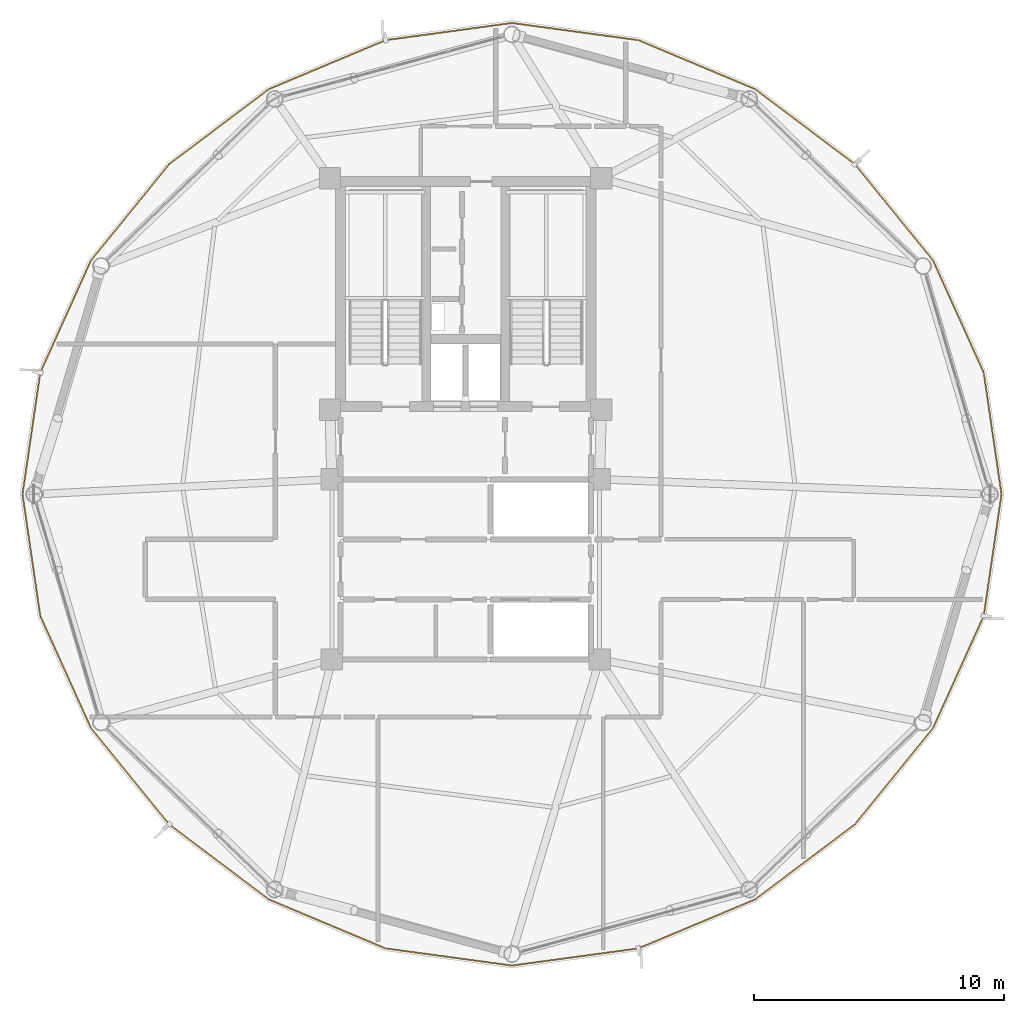
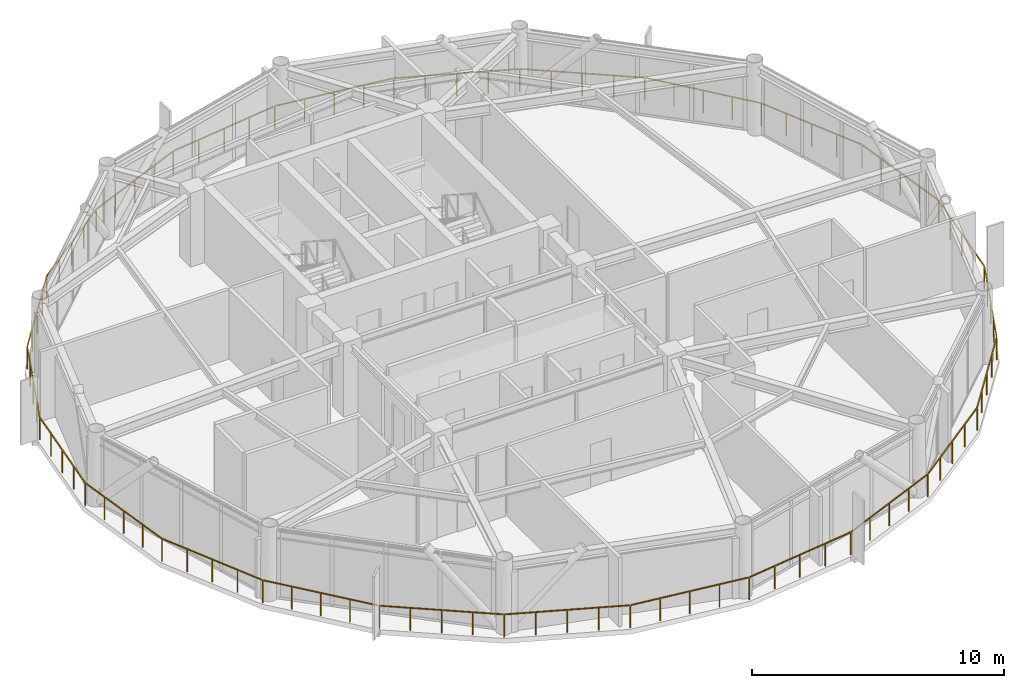
# One storey, part 27 of 28: 1 railing.
"""IFC4 building model written with IfcOpenShell, lengths in metres."""

from ifc_helpers import new_model, si_unit, direction, frame, origin, origin_2d, place, context, subcontext, project, spatial, rectangle, extrude, material, type_object, element, save


model = new_model("IFC4")

# Units and contexts
model_context = context("Model", 3, precision=1e-05, world=origin(), true_north=direction((0.0, 1.0)))
body_context = subcontext(model_context, "Body", "Model", "MODEL_VIEW")
ifc_project = project(units=[si_unit("LENGTHUNIT", "METRE"), si_unit("AREAUNIT", "SQUARE_METRE"), si_unit("VOLUMEUNIT", "CUBIC_METRE"), si_unit("PLANEANGLEUNIT", "RADIAN"), si_unit("MASSUNIT", "GRAM", prefix="KILO")], contexts=[model_context])

# Site, building, storey
site_placement = place(None, origin())
site = spatial("IfcSite", under=ifc_project, at=site_placement, CompositionType="ELEMENT")
building_placement = place(site_placement, origin())
building = spatial("IfcBuilding", under=site, at=building_placement, Name="Varnakorn Sky Granary", CompositionType="ELEMENT")
storey_placement = place(building_placement, frame((0.0, 0.0, 214.800048828125)))
storey = spatial("IfcBuildingStorey", under=building, at=storey_placement, Name="L54", CompositionType="ELEMENT", Elevation=214.800048828125)

# Railing
ifc_material = material(Name="Anodised Bronze Aluminium Alloy 6063-T6", Category="aluminium")
railing_type = type_object("IfcRailingType", Name="RL-BAL-1120", PredefinedType="BALUSTRADE", material=ifc_material)
railing_placement = place(storey_placement, frame((24.40380859375, 0.0, 0.0)))
element("IfcRailing", 1, at=railing_placement, inside=storey, type_object=railing_type, Name="Perimeter Slab-Edge Safety Guard L54", PredefinedType="BALUSTRADE", context=body_context, shape_type="SweptSolid", body=[
    extrude(rectangle(XDim=0.048095703125, YDim=0.048095703125, at=origin_2d()), frame((-0.004150390625, -0.027587890625, 1.09619140625), z_axis=(-0.144393108568, -0.989520404134, 0.0), x_axis=(0.989520404134, -0.144393108568, 0.0)), (0.0, 0.0, 1.0), 4.85400390625),
    extrude(rectangle(XDim=0.048095703125, YDim=0.048095703125, at=origin_2d()), frame((-0.720458984375, -4.88427734375, 1.09619140625), z_axis=(-0.411701042638, -0.911318962543, 0.0), x_axis=(0.911318962543, -0.411701042638, 0.0)), (0.0, 0.0, 1.0), 4.86474609375),
    extrude(rectangle(XDim=0.048095703125, YDim=0.048095703125, at=origin_2d()), frame((-2.75244140625, -9.36474609375, 1.09619140625), z_axis=(-0.630282291884, -0.77636604288, 0.0), x_axis=(0.77636604288, -0.630282291884, 0.0)), (0.0, 0.0, 1.0), 4.890869140625),
    extrude(rectangle(XDim=0.048095703125, YDim=0.048095703125, at=origin_2d()), frame((-5.875244140625, -13.200439453125, 1.09619140625), z_axis=(-0.799037077552, -0.601281754835, 0.0), x_axis=(0.601281754835, -0.799037077552, 0.0)), (0.0, 0.0, 1.0), 4.93896484375),
    extrude(rectangle(XDim=0.048095703125, YDim=0.048095703125, at=origin_2d()), frame((-9.869873046875, -16.19775390625, 1.09619140625), z_axis=(-0.9222099416, -0.386689570086, 0.0), x_axis=(0.386689570086, -0.9222099416, 0.0)), (0.0, 0.0, 1.0), 4.998046875),
    extrude(rectangle(XDim=0.048095703125, YDim=0.048095703125, at=origin_2d()), frame((-14.53271484375, -18.14501953125, 1.09619140625), z_axis=(-0.990926139809, -0.134407534921, 0.0), x_axis=(0.134407534921, -0.990926139809, 0.0)), (0.0, 0.0, 1.0), 5.0390625),
    extrude(rectangle(XDim=0.048095703125, YDim=0.048095703125, at=origin_2d()), frame((-19.58154296875, -18.822509765625, 1.09619140625), z_axis=(-0.990927005389, 0.134401153238, 0.0), x_axis=(-0.134401153238, -0.990927005389, 0.0)), (0.0, 0.0, 1.0), 5.039306640625),
    extrude(rectangle(XDim=0.048095703125, YDim=0.048095703125, at=origin_2d()), frame((-24.628662109375, -18.130615234375, 1.09619140625), z_axis=(-0.9222099416, 0.386689570086, 0.0), x_axis=(-0.386689570086, -0.9222099416, 0.0)), (0.0, 0.0, 1.0), 4.998046875),
    extrude(rectangle(XDim=0.048095703125, YDim=0.048095703125, at=origin_2d()), frame((-29.2861328125, -16.170166015625, 1.09619140625), z_axis=(-0.799037077552, 0.601281754835, 0.0), x_axis=(-0.601281754835, -0.799037077552, 0.0)), (0.0, 0.0, 1.0), 4.93896484375),
    extrude(rectangle(XDim=0.048095703125, YDim=0.048095703125, at=origin_2d()), frame((-33.2724609375, -13.161865234375, 1.09619140625), z_axis=(-0.630282291884, 0.77636604288, 0.0), x_axis=(-0.77636604288, -0.630282291884, 0.0)), (0.0, 0.0, 1.0), 4.890869140625),
    extrude(rectangle(XDim=0.048095703125, YDim=0.048095703125, at=origin_2d()), frame((-36.38427734375, -9.3173828125, 1.09619140625), z_axis=(-0.411701042638, 0.911318962543, 0.0), x_axis=(-0.911318962543, -0.411701042638, 0.0)), (0.0, 0.0, 1.0), 4.86474609375),
    extrude(rectangle(XDim=0.048095703125, YDim=0.048095703125, at=origin_2d()), frame((-38.40283203125, -4.8310546875, 1.09619140625), z_axis=(-0.144393108568, 0.989520404134, 0.0), x_axis=(-0.989520404134, -0.144393108568, 0.0)), (0.0, 0.0, 1.0), 4.85400390625),
    extrude(rectangle(XDim=0.048095703125, YDim=0.048095703125, at=origin_2d()), frame((-39.103515625, 0.027587890625, 1.09619140625), z_axis=(0.144393108568, 0.989520404134, 0.0), x_axis=(-0.989520404134, 0.144393108568, 0.0)), (0.0, 0.0, 1.0), 4.85400390625),
    extrude(rectangle(XDim=0.048095703125, YDim=0.048095703125, at=origin_2d()), frame((-38.38720703125, 4.88427734375, 1.09619140625), z_axis=(0.411701042638, 0.911318962543, 0.0), x_axis=(-0.911318962543, 0.411701042638, 0.0)), (0.0, 0.0, 1.0), 4.86474609375),
    extrude(rectangle(XDim=0.048095703125, YDim=0.048095703125, at=origin_2d()), frame((-36.355224609375, 9.36474609375, 1.09619140625), z_axis=(0.630282291884, 0.77636604288, 0.0), x_axis=(-0.77636604288, 0.630282291884, 0.0)), (0.0, 0.0, 1.0), 4.890869140625),
    extrude(rectangle(XDim=0.048095703125, YDim=0.048095703125, at=origin_2d()), frame((-33.232421875, 13.200439453125, 1.09619140625), z_axis=(0.799037077552, 0.601281754835, 0.0), x_axis=(-0.601281754835, 0.799037077552, 0.0)), (0.0, 0.0, 1.0), 4.93896484375),
    extrude(rectangle(XDim=0.048095703125, YDim=0.048095703125, at=origin_2d()), frame((-29.23779296875, 16.19775390625, 1.09619140625), z_axis=(0.9222099416, 0.386689570086, 0.0), x_axis=(-0.386689570086, 0.9222099416, 0.0)), (0.0, 0.0, 1.0), 4.998046875),
    extrude(rectangle(XDim=0.048095703125, YDim=0.048095703125, at=origin_2d()), frame((-24.574951171875, 18.14501953125, 1.09619140625), z_axis=(0.990927005389, 0.134401153238, 0.0), x_axis=(-0.134401153238, 0.990927005389, 0.0)), (0.0, 0.0, 1.0), 5.039306640625),
    extrude(rectangle(XDim=0.048095703125, YDim=0.048095703125, at=origin_2d()), frame((-19.52587890625, 18.822509765625, 1.09619140625), z_axis=(0.990926139809, -0.134407534921, 0.0), x_axis=(0.134407534921, 0.990926139809, 0.0)), (0.0, 0.0, 1.0), 5.0390625),
    extrude(rectangle(XDim=0.048095703125, YDim=0.048095703125, at=origin_2d()), frame((-14.47900390625, 18.130615234375, 1.09619140625), z_axis=(0.9222099416, -0.386689570086, 0.0), x_axis=(0.386689570086, 0.9222099416, 0.0)), (0.0, 0.0, 1.0), 4.998046875),
    extrude(rectangle(XDim=0.048095703125, YDim=0.048095703125, at=origin_2d()), frame((-9.821533203125, 16.170166015625, 1.09619140625), z_axis=(0.799037077552, -0.601281754835, 0.0), x_axis=(0.601281754835, 0.799037077552, 0.0)), (0.0, 0.0, 1.0), 4.93896484375),
    extrude(rectangle(XDim=0.048095703125, YDim=0.048095703125, at=origin_2d()), frame((-5.835205078125, 13.161865234375, 1.09619140625), z_axis=(0.630282291884, -0.77636604288, 0.0), x_axis=(0.77636604288, 0.630282291884, 0.0)), (0.0, 0.0, 1.0), 4.890869140625),
    extrude(rectangle(XDim=0.048095703125, YDim=0.048095703125, at=origin_2d()), frame((-2.723388671875, 9.3173828125, 1.09619140625), z_axis=(0.411701042638, -0.911318962543, 0.0), x_axis=(0.911318962543, 0.411701042638, 0.0)), (0.0, 0.0, 1.0), 4.86474609375),
    extrude(rectangle(XDim=0.048095703125, YDim=0.048095703125, at=origin_2d()), frame((-0.704833984375, 4.8310546875, 1.09619140625), z_axis=(0.144393108568, -0.989520404134, 0.0), x_axis=(0.989520404134, 0.144393108568, 0.0)), (0.0, 0.0, 1.0), 4.85400390625),
    extrude(rectangle(XDim=0.0419921875, YDim=0.0419921875, at=origin_2d()), origin(), (0.0, 0.0, 1.0), 1.068115234375),
    extrude(rectangle(XDim=0.0419921875, YDim=0.0419921875, at=origin_2d()), frame((-0.17724609375, -1.214599609375, 0.0)), (0.0, 0.0, 1.0), 1.068115234375),
    extrude(rectangle(XDim=0.0419921875, YDim=0.0419921875, at=origin_2d()), frame((-0.3544921875, -2.42919921875, 0.0)), (0.0, 0.0, 1.0), 1.068115234375),
    extrude(rectangle(XDim=0.0419921875, YDim=0.0419921875, at=origin_2d()), frame((-0.53173828125, -3.64404296875, 0.0)), (0.0, 0.0, 1.0), 1.068115234375),
    extrude(rectangle(XDim=0.0419921875, YDim=0.0419921875, at=origin_2d()), frame((-0.708984375, -4.858642578125, 0.0)), (0.0, 0.0, 1.0), 1.068115234375),
    extrude(rectangle(XDim=0.0419921875, YDim=0.0419921875, at=origin_2d()), frame((-1.21533203125, -5.979736328125, 0.0)), (0.0, 0.0, 1.0), 1.068115234375),
    extrude(rectangle(XDim=0.0419921875, YDim=0.0419921875, at=origin_2d()), frame((-1.721923828125, -7.100830078125, 0.0)), (0.0, 0.0, 1.0), 1.068115234375),
    extrude(rectangle(XDim=0.0419921875, YDim=0.0419921875, at=origin_2d()), frame((-2.228515625, -8.221923828125, 0.0)), (0.0, 0.0, 1.0), 1.068115234375),
    extrude(rectangle(XDim=0.0419921875, YDim=0.0419921875, at=origin_2d()), frame((-2.73486328125, -9.343017578125, 0.0)), (0.0, 0.0, 1.0), 1.068115234375),
    extrude(rectangle(XDim=0.0419921875, YDim=0.0419921875, at=origin_2d()), frame((-3.514404296875, -10.30322265625, 0.0)), (0.0, 0.0, 1.0), 1.068115234375),
    extrude(rectangle(XDim=0.0419921875, YDim=0.0419921875, at=origin_2d()), frame((-4.2939453125, -11.26318359375, 0.0)), (0.0, 0.0, 1.0), 1.068115234375),
    extrude(rectangle(XDim=0.0419921875, YDim=0.0419921875, at=origin_2d()), frame((-5.0732421875, -12.223388671875, 0.0)), (0.0, 0.0, 1.0), 1.068115234375),
    extrude(rectangle(XDim=0.0419921875, YDim=0.0419921875, at=origin_2d()), frame((-5.852783203125, -13.18359375, 0.0)), (0.0, 0.0, 1.0), 1.068115234375),
    extrude(rectangle(XDim=0.0419921875, YDim=0.0419921875, at=origin_2d()), frame((-6.8505859375, -13.9345703125, 0.0)), (0.0, 0.0, 1.0), 1.068115234375),
    extrude(rectangle(XDim=0.0419921875, YDim=0.0419921875, at=origin_2d()), frame((-7.848388671875, -14.685302734375, 0.0)), (0.0, 0.0, 1.0), 1.068115234375),
    extrude(rectangle(XDim=0.0419921875, YDim=0.0419921875, at=origin_2d()), frame((-8.84619140625, -15.43603515625, 0.0)), (0.0, 0.0, 1.0), 1.068115234375),
    extrude(rectangle(XDim=0.0419921875, YDim=0.0419921875, at=origin_2d()), frame((-9.843994140625, -16.18701171875, 0.0)), (0.0, 0.0, 1.0), 1.068115234375),
    extrude(rectangle(XDim=0.0419921875, YDim=0.0419921875, at=origin_2d()), frame((-11.00927734375, -16.675537109375, 0.0)), (0.0, 0.0, 1.0), 1.068115234375),
    extrude(rectangle(XDim=0.0419921875, YDim=0.0419921875, at=origin_2d()), frame((-12.17431640625, -17.1640625, 0.0)), (0.0, 0.0, 1.0), 1.068115234375),
    extrude(rectangle(XDim=0.0419921875, YDim=0.0419921875, at=origin_2d()), frame((-13.339599609375, -17.65283203125, 0.0)), (0.0, 0.0, 1.0), 1.068115234375),
    extrude(rectangle(XDim=0.0419921875, YDim=0.0419921875, at=origin_2d()), frame((-14.5048828125, -18.141357421875, 0.0)), (0.0, 0.0, 1.0), 1.068115234375),
    extrude(rectangle(XDim=0.0419921875, YDim=0.0419921875, at=origin_2d()), frame((-15.76708984375, -18.3125, 0.0)), (0.0, 0.0, 1.0), 1.068115234375),
    extrude(rectangle(XDim=0.0419921875, YDim=0.0419921875, at=origin_2d()), frame((-17.029296875, -18.48388671875, 0.0)), (0.0, 0.0, 1.0), 1.068115234375),
    extrude(rectangle(XDim=0.0419921875, YDim=0.0419921875, at=origin_2d()), frame((-18.29150390625, -18.655029296875, 0.0)), (0.0, 0.0, 1.0), 1.068115234375),
    extrude(rectangle(XDim=0.0419921875, YDim=0.0419921875, at=origin_2d()), frame((-19.5537109375, -18.826171875, 0.0)), (0.0, 0.0, 1.0), 1.068115234375),
    extrude(rectangle(XDim=0.0419921875, YDim=0.0419921875, at=origin_2d()), frame((-20.81591796875, -18.655029296875, 0.0)), (0.0, 0.0, 1.0), 1.068115234375),
    extrude(rectangle(XDim=0.0419921875, YDim=0.0419921875, at=origin_2d()), frame((-22.078125, -18.48388671875, 0.0)), (0.0, 0.0, 1.0), 1.068115234375),
    extrude(rectangle(XDim=0.0419921875, YDim=0.0419921875, at=origin_2d()), frame((-23.340576171875, -18.3125, 0.0)), (0.0, 0.0, 1.0), 1.068115234375),
    extrude(rectangle(XDim=0.0419921875, YDim=0.0419921875, at=origin_2d()), frame((-24.602783203125, -18.141357421875, 0.0)), (0.0, 0.0, 1.0), 1.068115234375),
    extrude(rectangle(XDim=0.0419921875, YDim=0.0419921875, at=origin_2d()), frame((-25.76806640625, -17.65283203125, 0.0)), (0.0, 0.0, 1.0), 1.068115234375),
    extrude(rectangle(XDim=0.0419921875, YDim=0.0419921875, at=origin_2d()), frame((-26.93310546875, -17.1640625, 0.0)), (0.0, 0.0, 1.0), 1.068115234375),
    extrude(rectangle(XDim=0.0419921875, YDim=0.0419921875, at=origin_2d()), frame((-28.098388671875, -16.675537109375, 0.0)), (0.0, 0.0, 1.0), 1.068115234375),
    extrude(rectangle(XDim=0.0419921875, YDim=0.0419921875, at=origin_2d()), frame((-29.263671875, -16.18701171875, 0.0)), (0.0, 0.0, 1.0), 1.068115234375),
    extrude(rectangle(XDim=0.0419921875, YDim=0.0419921875, at=origin_2d()), frame((-30.261474609375, -15.43603515625, 0.0)), (0.0, 0.0, 1.0), 1.068115234375),
    extrude(rectangle(XDim=0.0419921875, YDim=0.0419921875, at=origin_2d()), frame((-31.25927734375, -14.685302734375, 0.0)), (0.0, 0.0, 1.0), 1.068115234375),
    extrude(rectangle(XDim=0.0419921875, YDim=0.0419921875, at=origin_2d()), frame((-32.257080078125, -13.9345703125, 0.0)), (0.0, 0.0, 1.0), 1.068115234375),
    extrude(rectangle(XDim=0.0419921875, YDim=0.0419921875, at=origin_2d()), frame((-33.2548828125, -13.18359375, 0.0)), (0.0, 0.0, 1.0), 1.068115234375),
    extrude(rectangle(XDim=0.0419921875, YDim=0.0419921875, at=origin_2d()), frame((-34.034423828125, -12.223388671875, 0.0)), (0.0, 0.0, 1.0), 1.068115234375),
    extrude(rectangle(XDim=0.0419921875, YDim=0.0419921875, at=origin_2d()), frame((-34.81396484375, -11.26318359375, 0.0)), (0.0, 0.0, 1.0), 1.068115234375),
    extrude(rectangle(XDim=0.0419921875, YDim=0.0419921875, at=origin_2d()), frame((-35.59326171875, -10.30322265625, 0.0)), (0.0, 0.0, 1.0), 1.068115234375),
    extrude(rectangle(XDim=0.0419921875, YDim=0.0419921875, at=origin_2d()), frame((-36.372802734375, -9.343017578125, 0.0)), (0.0, 0.0, 1.0), 1.068115234375),
    extrude(rectangle(XDim=0.0419921875, YDim=0.0419921875, at=origin_2d()), frame((-36.87939453125, -8.221923828125, 0.0)), (0.0, 0.0, 1.0), 1.068115234375),
    extrude(rectangle(XDim=0.0419921875, YDim=0.0419921875, at=origin_2d()), frame((-37.3857421875, -7.100830078125, 0.0)), (0.0, 0.0, 1.0), 1.068115234375),
    extrude(rectangle(XDim=0.0419921875, YDim=0.0419921875, at=origin_2d()), frame((-37.89208984375, -5.979736328125, 0.0)), (0.0, 0.0, 1.0), 1.068115234375),
    extrude(rectangle(XDim=0.0419921875, YDim=0.0419921875, at=origin_2d()), frame((-38.398681640625, -4.858642578125, 0.0)), (0.0, 0.0, 1.0), 1.068115234375),
    extrude(rectangle(XDim=0.0419921875, YDim=0.0419921875, at=origin_2d()), frame((-38.575927734375, -3.64404296875, 0.0)), (0.0, 0.0, 1.0), 1.068115234375),
    extrude(rectangle(XDim=0.0419921875, YDim=0.0419921875, at=origin_2d()), frame((-38.753173828125, -2.42919921875, 0.0)), (0.0, 0.0, 1.0), 1.068115234375),
    extrude(rectangle(XDim=0.0419921875, YDim=0.0419921875, at=origin_2d()), frame((-38.930419921875, -1.214599609375, 0.0)), (0.0, 0.0, 1.0), 1.068115234375),
    extrude(rectangle(XDim=0.0419921875, YDim=0.0419921875, at=origin_2d()), frame((-39.107666015625, 0.0, 0.0)), (0.0, 0.0, 1.0), 1.068115234375),
    extrude(rectangle(XDim=0.0419921875, YDim=0.0419921875, at=origin_2d()), frame((-38.930419921875, 1.214599609375, 0.0)), (0.0, 0.0, 1.0), 1.068115234375),
    extrude(rectangle(XDim=0.0419921875, YDim=0.0419921875, at=origin_2d()), frame((-38.753173828125, 2.42919921875, 0.0)), (0.0, 0.0, 1.0), 1.068115234375),
    extrude(rectangle(XDim=0.0419921875, YDim=0.0419921875, at=origin_2d()), frame((-38.575927734375, 3.64404296875, 0.0)), (0.0, 0.0, 1.0), 1.068115234375),
    extrude(rectangle(XDim=0.0419921875, YDim=0.0419921875, at=origin_2d()), frame((-38.398681640625, 4.858642578125, 0.0)), (0.0, 0.0, 1.0), 1.068115234375),
    extrude(rectangle(XDim=0.0419921875, YDim=0.0419921875, at=origin_2d()), frame((-37.89208984375, 5.979736328125, 0.0)), (0.0, 0.0, 1.0), 1.068115234375),
    extrude(rectangle(XDim=0.0419921875, YDim=0.0419921875, at=origin_2d()), frame((-37.3857421875, 7.100830078125, 0.0)), (0.0, 0.0, 1.0), 1.068115234375),
    extrude(rectangle(XDim=0.0419921875, YDim=0.0419921875, at=origin_2d()), frame((-36.87939453125, 8.221923828125, 0.0)), (0.0, 0.0, 1.0), 1.068115234375),
    extrude(rectangle(XDim=0.0419921875, YDim=0.0419921875, at=origin_2d()), frame((-36.372802734375, 9.343017578125, 0.0)), (0.0, 0.0, 1.0), 1.068115234375),
    extrude(rectangle(XDim=0.0419921875, YDim=0.0419921875, at=origin_2d()), frame((-35.59326171875, 10.30322265625, 0.0)), (0.0, 0.0, 1.0), 1.068115234375),
    extrude(rectangle(XDim=0.0419921875, YDim=0.0419921875, at=origin_2d()), frame((-34.81396484375, 11.26318359375, 0.0)), (0.0, 0.0, 1.0), 1.068115234375),
    extrude(rectangle(XDim=0.0419921875, YDim=0.0419921875, at=origin_2d()), frame((-34.034423828125, 12.223388671875, 0.0)), (0.0, 0.0, 1.0), 1.068115234375),
    extrude(rectangle(XDim=0.0419921875, YDim=0.0419921875, at=origin_2d()), frame((-33.2548828125, 13.18359375, 0.0)), (0.0, 0.0, 1.0), 1.068115234375),
    extrude(rectangle(XDim=0.0419921875, YDim=0.0419921875, at=origin_2d()), frame((-32.257080078125, 13.9345703125, 0.0)), (0.0, 0.0, 1.0), 1.068115234375),
    extrude(rectangle(XDim=0.0419921875, YDim=0.0419921875, at=origin_2d()), frame((-31.25927734375, 14.685302734375, 0.0)), (0.0, 0.0, 1.0), 1.068115234375),
    extrude(rectangle(XDim=0.0419921875, YDim=0.0419921875, at=origin_2d()), frame((-30.261474609375, 15.43603515625, 0.0)), (0.0, 0.0, 1.0), 1.068115234375),
    extrude(rectangle(XDim=0.0419921875, YDim=0.0419921875, at=origin_2d()), frame((-29.263671875, 16.18701171875, 0.0)), (0.0, 0.0, 1.0), 1.068115234375),
    extrude(rectangle(XDim=0.0419921875, YDim=0.0419921875, at=origin_2d()), frame((-28.098388671875, 16.675537109375, 0.0)), (0.0, 0.0, 1.0), 1.068115234375),
    extrude(rectangle(XDim=0.0419921875, YDim=0.0419921875, at=origin_2d()), frame((-26.93310546875, 17.1640625, 0.0)), (0.0, 0.0, 1.0), 1.068115234375),
    extrude(rectangle(XDim=0.0419921875, YDim=0.0419921875, at=origin_2d()), frame((-25.76806640625, 17.65283203125, 0.0)), (0.0, 0.0, 1.0), 1.068115234375),
    extrude(rectangle(XDim=0.0419921875, YDim=0.0419921875, at=origin_2d()), frame((-24.602783203125, 18.141357421875, 0.0)), (0.0, 0.0, 1.0), 1.068115234375),
    extrude(rectangle(XDim=0.0419921875, YDim=0.0419921875, at=origin_2d()), frame((-23.340576171875, 18.3125, 0.0)), (0.0, 0.0, 1.0), 1.068115234375),
    extrude(rectangle(XDim=0.0419921875, YDim=0.0419921875, at=origin_2d()), frame((-22.078125, 18.48388671875, 0.0)), (0.0, 0.0, 1.0), 1.068115234375),
    extrude(rectangle(XDim=0.0419921875, YDim=0.0419921875, at=origin_2d()), frame((-20.81591796875, 18.655029296875, 0.0)), (0.0, 0.0, 1.0), 1.068115234375),
    extrude(rectangle(XDim=0.0419921875, YDim=0.0419921875, at=origin_2d()), frame((-19.5537109375, 18.826171875, 0.0)), (0.0, 0.0, 1.0), 1.068115234375),
    extrude(rectangle(XDim=0.0419921875, YDim=0.0419921875, at=origin_2d()), frame((-18.29150390625, 18.655029296875, 0.0)), (0.0, 0.0, 1.0), 1.068115234375),
    extrude(rectangle(XDim=0.0419921875, YDim=0.0419921875, at=origin_2d()), frame((-17.029296875, 18.48388671875, 0.0)), (0.0, 0.0, 1.0), 1.068115234375),
    extrude(rectangle(XDim=0.0419921875, YDim=0.0419921875, at=origin_2d()), frame((-15.76708984375, 18.3125, 0.0)), (0.0, 0.0, 1.0), 1.068115234375),
    extrude(rectangle(XDim=0.0419921875, YDim=0.0419921875, at=origin_2d()), frame((-14.5048828125, 18.141357421875, 0.0)), (0.0, 0.0, 1.0), 1.068115234375),
    extrude(rectangle(XDim=0.0419921875, YDim=0.0419921875, at=origin_2d()), frame((-13.339599609375, 17.65283203125, 0.0)), (0.0, 0.0, 1.0), 1.068115234375),
    extrude(rectangle(XDim=0.0419921875, YDim=0.0419921875, at=origin_2d()), frame((-12.17431640625, 17.1640625, 0.0)), (0.0, 0.0, 1.0), 1.068115234375),
    extrude(rectangle(XDim=0.0419921875, YDim=0.0419921875, at=origin_2d()), frame((-11.00927734375, 16.675537109375, 0.0)), (0.0, 0.0, 1.0), 1.068115234375),
    extrude(rectangle(XDim=0.0419921875, YDim=0.0419921875, at=origin_2d()), frame((-9.843994140625, 16.18701171875, 0.0)), (0.0, 0.0, 1.0), 1.068115234375),
    extrude(rectangle(XDim=0.0419921875, YDim=0.0419921875, at=origin_2d()), frame((-8.84619140625, 15.43603515625, 0.0)), (0.0, 0.0, 1.0), 1.068115234375),
    extrude(rectangle(XDim=0.0419921875, YDim=0.0419921875, at=origin_2d()), frame((-7.848388671875, 14.685302734375, 0.0)), (0.0, 0.0, 1.0), 1.068115234375),
    extrude(rectangle(XDim=0.0419921875, YDim=0.0419921875, at=origin_2d()), frame((-6.8505859375, 13.9345703125, 0.0)), (0.0, 0.0, 1.0), 1.068115234375),
    extrude(rectangle(XDim=0.0419921875, YDim=0.0419921875, at=origin_2d()), frame((-5.852783203125, 13.18359375, 0.0)), (0.0, 0.0, 1.0), 1.068115234375),
    extrude(rectangle(XDim=0.0419921875, YDim=0.0419921875, at=origin_2d()), frame((-5.0732421875, 12.223388671875, 0.0)), (0.0, 0.0, 1.0), 1.068115234375),
    extrude(rectangle(XDim=0.0419921875, YDim=0.0419921875, at=origin_2d()), frame((-4.2939453125, 11.26318359375, 0.0)), (0.0, 0.0, 1.0), 1.068115234375),
    extrude(rectangle(XDim=0.0419921875, YDim=0.0419921875, at=origin_2d()), frame((-3.514404296875, 10.30322265625, 0.0)), (0.0, 0.0, 1.0), 1.068115234375),
    extrude(rectangle(XDim=0.0419921875, YDim=0.0419921875, at=origin_2d()), frame((-2.73486328125, 9.343017578125, 0.0)), (0.0, 0.0, 1.0), 1.068115234375),
    extrude(rectangle(XDim=0.0419921875, YDim=0.0419921875, at=origin_2d()), frame((-2.228515625, 8.221923828125, 0.0)), (0.0, 0.0, 1.0), 1.068115234375),
    extrude(rectangle(XDim=0.0419921875, YDim=0.0419921875, at=origin_2d()), frame((-1.721923828125, 7.100830078125, 0.0)), (0.0, 0.0, 1.0), 1.068115234375),
    extrude(rectangle(XDim=0.0419921875, YDim=0.0419921875, at=origin_2d()), frame((-1.21533203125, 5.979736328125, 0.0)), (0.0, 0.0, 1.0), 1.068115234375),
    extrude(rectangle(XDim=0.0419921875, YDim=0.0419921875, at=origin_2d()), frame((-0.708984375, 4.858642578125, 0.0)), (0.0, 0.0, 1.0), 1.068115234375),
    extrude(rectangle(XDim=0.0419921875, YDim=0.0419921875, at=origin_2d()), frame((-0.53173828125, 3.64404296875, 0.0)), (0.0, 0.0, 1.0), 1.068115234375),
    extrude(rectangle(XDim=0.0419921875, YDim=0.0419921875, at=origin_2d()), frame((-0.3544921875, 2.42919921875, 0.0)), (0.0, 0.0, 1.0), 1.068115234375),
    extrude(rectangle(XDim=0.0419921875, YDim=0.0419921875, at=origin_2d()), frame((-0.17724609375, 1.214599609375, 0.0)), (0.0, 0.0, 1.0), 1.068115234375),
])

save(model, "model.ifc")
